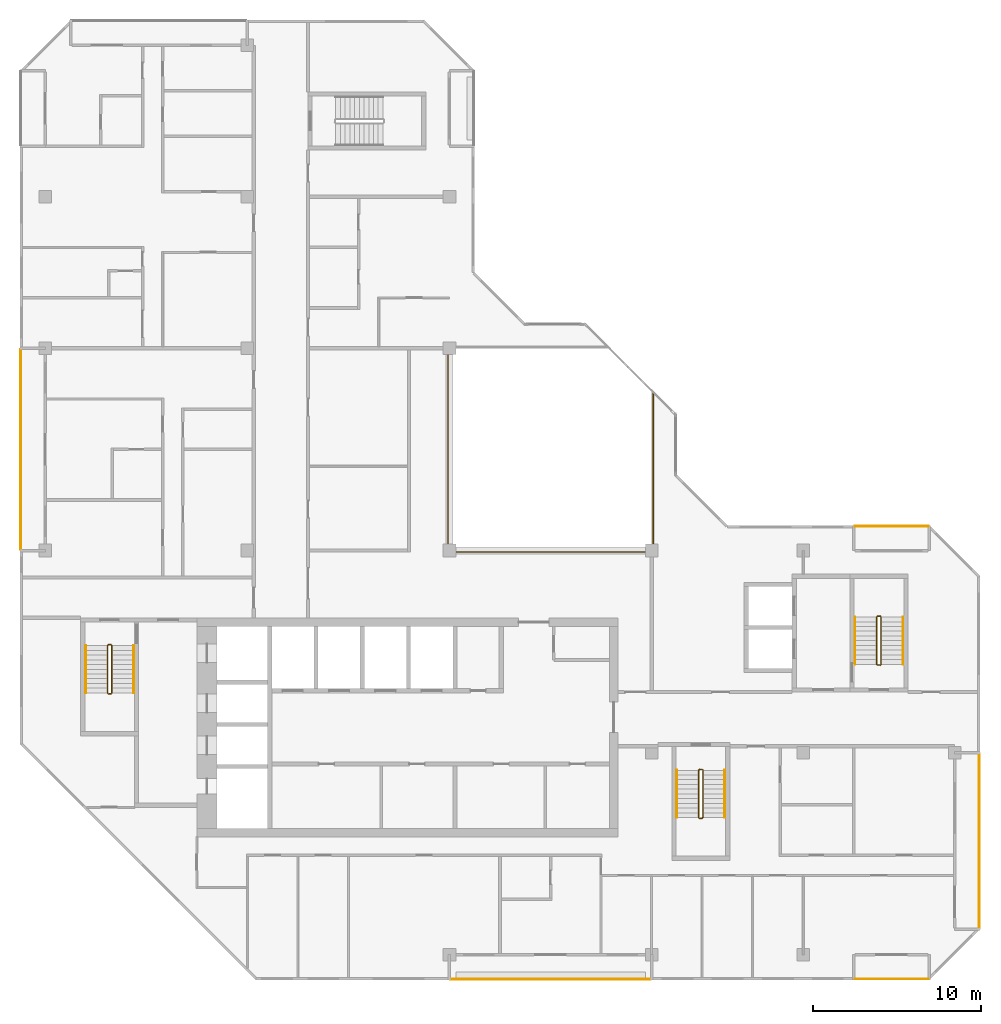
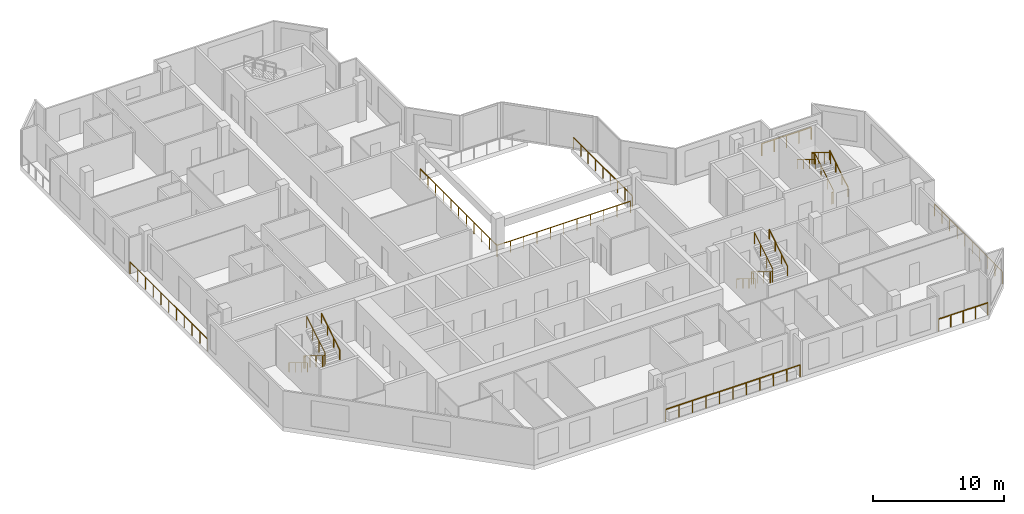
# One storey, part 11 of 12: 16 railings.
"""IFC4 building model written with IfcOpenShell, lengths in metres."""

from ifc_helpers import new_model, si_unit, direction, frame, origin, origin_2d, place, context, subcontext, project, spatial, rectangle, extrude, material, type_object, element, save


model = new_model("IFC4")

# Units and contexts
model_context = context("Model", 3, precision=1e-05, world=origin(), true_north=direction((0.0, 1.0)))
body_context = subcontext(model_context, "Body", "Model", "MODEL_VIEW")
ifc_project = project(units=[si_unit("LENGTHUNIT", "METRE"), si_unit("AREAUNIT", "SQUARE_METRE"), si_unit("VOLUMEUNIT", "CUBIC_METRE"), si_unit("PLANEANGLEUNIT", "RADIAN"), si_unit("MASSUNIT", "GRAM", prefix="KILO")], contexts=[model_context])

# Site, building, storey
site_placement = place(None, origin())
site = spatial("IfcSite", under=ifc_project, at=site_placement, CompositionType="ELEMENT")
building_placement = place(site_placement, origin())
building = spatial("IfcBuilding", under=site, at=building_placement, Name="Chenar Terraces", CompositionType="ELEMENT")
storey_placement = place(building_placement, frame((0.0, 0.0, 357.64990234375)))
storey = spatial("IfcBuildingStorey", under=building, at=storey_placement, Name="L83", CompositionType="ELEMENT", Elevation=357.64990234375)

# Railings
ifc_material_1 = material(Name="Powder-coated steel", Category="steel")
railing_type_1 = type_object("IfcRailingType", Name="Guard 1100 steel rail with glass infill", PredefinedType="GUARDRAIL", material=ifc_material_1)
railing_1_placement = place(storey_placement, frame((23.89990234375, 35.625, 0.0)))
element("IfcRailing", 1, at=railing_1_placement, inside=storey, type_object=railing_type_1, Name="Guard L83-1", PredefinedType="GUARDRAIL", context=body_context, shape_type="SweptSolid", body=[
    extrude(rectangle(XDim=0.06005859375, YDim=0.06005859375, at=origin_2d()), frame((0.0, 0.0, 1.070068359375), z_axis=(0.0, -1.0, 0.0), x_axis=(1.0, 0.0, 0.0)), (0.0, 0.0, 1.0), 11.72509765625),
    extrude(rectangle(XDim=0.06005859375, YDim=0.06005859375, at=origin_2d()), frame((0.0, -11.72509765625, 1.070068359375), z_axis=(1.0, 0.0, 0.0), x_axis=(0.0, 1.0, 0.0)), (0.0, 0.0, 1.0), 11.72509765625),
    extrude(rectangle(XDim=0.050048828125, YDim=0.050048828125, at=origin_2d()), origin(), (0.0, 0.0, 1.0), 1.0400390625),
    extrude(rectangle(XDim=0.050048828125, YDim=0.050048828125, at=origin_2d()), frame((0.0, -1.172607421875, 0.0)), (0.0, 0.0, 1.0), 1.0400390625),
    extrude(rectangle(XDim=0.050048828125, YDim=0.050048828125, at=origin_2d()), frame((0.0, -2.344970703125, 0.0)), (0.0, 0.0, 1.0), 1.0400390625),
    extrude(rectangle(XDim=0.050048828125, YDim=0.050048828125, at=origin_2d()), frame((0.0, -3.517578125, 0.0)), (0.0, 0.0, 1.0), 1.0400390625),
    extrude(rectangle(XDim=0.050048828125, YDim=0.050048828125, at=origin_2d()), frame((0.0, -4.68994140625, 0.0)), (0.0, 0.0, 1.0), 1.0400390625),
    extrude(rectangle(XDim=0.050048828125, YDim=0.050048828125, at=origin_2d()), frame((0.0, -5.862548828125, 0.0)), (0.0, 0.0, 1.0), 1.0400390625),
    extrude(rectangle(XDim=0.050048828125, YDim=0.050048828125, at=origin_2d()), frame((0.0, -7.03515625, 0.0)), (0.0, 0.0, 1.0), 1.0400390625),
    extrude(rectangle(XDim=0.050048828125, YDim=0.050048828125, at=origin_2d()), frame((0.0, -8.20751953125, 0.0)), (0.0, 0.0, 1.0), 1.0400390625),
    extrude(rectangle(XDim=0.050048828125, YDim=0.050048828125, at=origin_2d()), frame((0.0, -9.380126953125, 0.0)), (0.0, 0.0, 1.0), 1.0400390625),
    extrude(rectangle(XDim=0.050048828125, YDim=0.050048828125, at=origin_2d()), frame((0.0, -10.552490234375, 0.0)), (0.0, 0.0, 1.0), 1.0400390625),
    extrude(rectangle(XDim=0.050048828125, YDim=0.050048828125, at=origin_2d()), frame((0.0, -11.72509765625, 0.0)), (0.0, 0.0, 1.0), 1.0400390625),
    extrude(rectangle(XDim=0.050048828125, YDim=0.050048828125, at=origin_2d()), frame((1.172607421875, -11.72509765625, 0.0)), (0.0, 0.0, 1.0), 1.0400390625),
    extrude(rectangle(XDim=0.050048828125, YDim=0.050048828125, at=origin_2d()), frame((2.344970703125, -11.72509765625, 0.0)), (0.0, 0.0, 1.0), 1.0400390625),
    extrude(rectangle(XDim=0.050048828125, YDim=0.050048828125, at=origin_2d()), frame((3.517578125, -11.72509765625, 0.0)), (0.0, 0.0, 1.0), 1.0400390625),
    extrude(rectangle(XDim=0.050048828125, YDim=0.050048828125, at=origin_2d()), frame((4.68994140625, -11.72509765625, 0.0)), (0.0, 0.0, 1.0), 1.0400390625),
    extrude(rectangle(XDim=0.050048828125, YDim=0.050048828125, at=origin_2d()), frame((5.862548828125, -11.72509765625, 0.0)), (0.0, 0.0, 1.0), 1.0400390625),
    extrude(rectangle(XDim=0.050048828125, YDim=0.050048828125, at=origin_2d()), frame((7.03515625, -11.72509765625, 0.0)), (0.0, 0.0, 1.0), 1.0400390625),
    extrude(rectangle(XDim=0.050048828125, YDim=0.050048828125, at=origin_2d()), frame((8.20751953125, -11.72509765625, 0.0)), (0.0, 0.0, 1.0), 1.0400390625),
    extrude(rectangle(XDim=0.050048828125, YDim=0.050048828125, at=origin_2d()), frame((9.380126953125, -11.72509765625, 0.0)), (0.0, 0.0, 1.0), 1.0400390625),
    extrude(rectangle(XDim=0.050048828125, YDim=0.050048828125, at=origin_2d()), frame((10.552490234375, -11.72509765625, 0.0)), (0.0, 0.0, 1.0), 1.0400390625),
    extrude(rectangle(XDim=0.050048828125, YDim=0.050048828125, at=origin_2d()), frame((11.72509765625, -11.72509765625, 0.0)), (0.0, 0.0, 1.0), 1.0400390625),
])
railing_2_placement = place(storey_placement, frame((36.10009765625, 24.425048828125, 0.0)))
element("IfcRailing", 2, at=railing_2_placement, inside=storey, type_object=railing_type_1, Name="Guard L83-3", PredefinedType="GUARDRAIL", context=body_context, shape_type="SweptSolid", body=[
    extrude(rectangle(XDim=0.06005859375, YDim=0.06005859375, at=origin_2d()), frame((0.0, 0.0, 1.070068359375), z_axis=(0.0, 1.0, 0.0), x_axis=(-1.0, 0.0, 0.0)), (0.0, 0.0, 1.0), 8.974853515625),
    extrude(rectangle(XDim=0.050048828125, YDim=0.050048828125, at=origin_2d()), origin(), (0.0, 0.0, 1.0), 1.0400390625),
    extrude(rectangle(XDim=0.050048828125, YDim=0.050048828125, at=origin_2d()), frame((0.0, 1.121826171875, 0.0)), (0.0, 0.0, 1.0), 1.0400390625),
    extrude(rectangle(XDim=0.050048828125, YDim=0.050048828125, at=origin_2d()), frame((0.0, 2.24365234375, 0.0)), (0.0, 0.0, 1.0), 1.0400390625),
    extrude(rectangle(XDim=0.050048828125, YDim=0.050048828125, at=origin_2d()), frame((0.0, 3.365478515625, 0.0)), (0.0, 0.0, 1.0), 1.0400390625),
    extrude(rectangle(XDim=0.050048828125, YDim=0.050048828125, at=origin_2d()), frame((0.0, 4.4873046875, 0.0)), (0.0, 0.0, 1.0), 1.0400390625),
    extrude(rectangle(XDim=0.050048828125, YDim=0.050048828125, at=origin_2d()), frame((0.0, 5.609375, 0.0)), (0.0, 0.0, 1.0), 1.0400390625),
    extrude(rectangle(XDim=0.050048828125, YDim=0.050048828125, at=origin_2d()), frame((0.0, 6.731201171875, 0.0)), (0.0, 0.0, 1.0), 1.0400390625),
    extrude(rectangle(XDim=0.050048828125, YDim=0.050048828125, at=origin_2d()), frame((0.0, 7.85302734375, 0.0)), (0.0, 0.0, 1.0), 1.0400390625),
    extrude(rectangle(XDim=0.050048828125, YDim=0.050048828125, at=origin_2d()), frame((0.0, 8.974853515625, 0.0)), (0.0, 0.0, 1.0), 1.0400390625),
])
ifc_material_2 = material(Name="Stainless steel and glass", Category="steel")
railing_type_2 = type_object("IfcRailingType", Name="Loggia guard 1150", PredefinedType="GUARDRAIL", material=ifc_material_2)
railing_3_placement = place(storey_placement, frame((55.449951171875, 1.574951171875, 0.0)))
element("IfcRailing", 3, at=railing_3_placement, inside=storey, type_object=railing_type_2, Name="Loggia guard", PredefinedType="GUARDRAIL", context=body_context, shape_type="SweptSolid", body=[
    extrude(rectangle(XDim=0.048095703125, YDim=0.048095703125, at=origin_2d()), frame((0.0, 0.0, 1.1259765625), z_axis=(0.0, 1.0, 0.0), x_axis=(-1.0, 0.0, 0.0)), (0.0, 0.0, 1.0), 10.35009765625),
    extrude(rectangle(XDim=0.0419921875, YDim=0.0419921875, at=origin_2d()), origin(), (0.0, 0.0, 1.0), 1.101806640625),
    extrude(rectangle(XDim=0.0419921875, YDim=0.0419921875, at=origin_2d()), frame((0.0, 1.14990234375, 0.0)), (0.0, 0.0, 1.0), 1.101806640625),
    extrude(rectangle(XDim=0.0419921875, YDim=0.0419921875, at=origin_2d()), frame((0.0, 2.300048828125, 0.0)), (0.0, 0.0, 1.0), 1.101806640625),
    extrude(rectangle(XDim=0.0419921875, YDim=0.0419921875, at=origin_2d()), frame((0.0, 3.449951171875, 0.0)), (0.0, 0.0, 1.0), 1.101806640625),
    extrude(rectangle(XDim=0.0419921875, YDim=0.0419921875, at=origin_2d()), frame((0.0, 4.60009765625, 0.0)), (0.0, 0.0, 1.0), 1.101806640625),
    extrude(rectangle(XDim=0.0419921875, YDim=0.0419921875, at=origin_2d()), frame((0.0, 5.75, 0.0)), (0.0, 0.0, 1.0), 1.101806640625),
    extrude(rectangle(XDim=0.0419921875, YDim=0.0419921875, at=origin_2d()), frame((0.0, 6.900146484375, 0.0)), (0.0, 0.0, 1.0), 1.101806640625),
    extrude(rectangle(XDim=0.0419921875, YDim=0.0419921875, at=origin_2d()), frame((0.0, 8.050048828125, 0.0)), (0.0, 0.0, 1.0), 1.101806640625),
    extrude(rectangle(XDim=0.0419921875, YDim=0.0419921875, at=origin_2d()), frame((0.0, 9.2001953125, 0.0)), (0.0, 0.0, 1.0), 1.101806640625),
    extrude(rectangle(XDim=0.0419921875, YDim=0.0419921875, at=origin_2d()), frame((0.0, 10.35009765625, 0.0)), (0.0, 0.0, 1.0), 1.101806640625),
])
railing_4_placement = place(storey_placement, frame((52.425048828125, 25.449951171875, 0.0)))
element("IfcRailing", 4, at=railing_4_placement, inside=storey, type_object=railing_type_2, Name="Loggia guard", PredefinedType="GUARDRAIL", context=body_context, shape_type="SweptSolid", body=[
    extrude(rectangle(XDim=0.048095703125, YDim=0.048095703125, at=origin_2d()), frame((0.0, 0.0, 1.1259765625), z_axis=(-1.0, 0.0, 0.0), x_axis=(0.0, -1.0, 0.0)), (0.0, 0.0, 1.0), 4.35009765625),
    extrude(rectangle(XDim=0.0419921875, YDim=0.0419921875, at=origin_2d()), origin(), (0.0, 0.0, 1.0), 1.101806640625),
    extrude(rectangle(XDim=0.0419921875, YDim=0.0419921875, at=origin_2d()), frame((-1.08740234375, 0.0, 0.0)), (0.0, 0.0, 1.0), 1.101806640625),
    extrude(rectangle(XDim=0.0419921875, YDim=0.0419921875, at=origin_2d()), frame((-2.175048828125, 0.0, 0.0)), (0.0, 0.0, 1.0), 1.101806640625),
    extrude(rectangle(XDim=0.0419921875, YDim=0.0419921875, at=origin_2d()), frame((-3.2626953125, 0.0, 0.0)), (0.0, 0.0, 1.0), 1.101806640625),
    extrude(rectangle(XDim=0.0419921875, YDim=0.0419921875, at=origin_2d()), frame((-4.35009765625, 0.0, 0.0)), (0.0, 0.0, 1.0), 1.101806640625),
])
railing_5_placement = place(storey_placement, frame((24.074951171875, -1.449951171875, 0.0)))
element("IfcRailing", 5, at=railing_5_placement, inside=storey, type_object=railing_type_2, Name="Loggia guard", PredefinedType="GUARDRAIL", context=body_context, shape_type="SweptSolid", body=[
    extrude(rectangle(XDim=0.048095703125, YDim=0.048095703125, at=origin_2d()), frame((0.0, 0.0, 1.1259765625), z_axis=(1.0, 0.0, 0.0), x_axis=(0.0, 1.0, 0.0)), (0.0, 0.0, 1.0), 11.85009765625),
    extrude(rectangle(XDim=0.0419921875, YDim=0.0419921875, at=origin_2d()), origin(), (0.0, 0.0, 1.0), 1.101806640625),
    extrude(rectangle(XDim=0.0419921875, YDim=0.0419921875, at=origin_2d()), frame((1.18505859375, 0.0, 0.0)), (0.0, 0.0, 1.0), 1.101806640625),
    extrude(rectangle(XDim=0.0419921875, YDim=0.0419921875, at=origin_2d()), frame((2.3701171875, 0.0, 0.0)), (0.0, 0.0, 1.0), 1.101806640625),
    extrude(rectangle(XDim=0.0419921875, YDim=0.0419921875, at=origin_2d()), frame((3.554931640625, 0.0, 0.0)), (0.0, 0.0, 1.0), 1.101806640625),
    extrude(rectangle(XDim=0.0419921875, YDim=0.0419921875, at=origin_2d()), frame((4.739990234375, 0.0, 0.0)), (0.0, 0.0, 1.0), 1.101806640625),
    extrude(rectangle(XDim=0.0419921875, YDim=0.0419921875, at=origin_2d()), frame((5.925048828125, 0.0, 0.0)), (0.0, 0.0, 1.0), 1.101806640625),
    extrude(rectangle(XDim=0.0419921875, YDim=0.0419921875, at=origin_2d()), frame((7.110107421875, 0.0, 0.0)), (0.0, 0.0, 1.0), 1.101806640625),
    extrude(rectangle(XDim=0.0419921875, YDim=0.0419921875, at=origin_2d()), frame((8.295166015625, 0.0, 0.0)), (0.0, 0.0, 1.0), 1.101806640625),
    extrude(rectangle(XDim=0.0419921875, YDim=0.0419921875, at=origin_2d()), frame((9.47998046875, 0.0, 0.0)), (0.0, 0.0, 1.0), 1.101806640625),
    extrude(rectangle(XDim=0.0419921875, YDim=0.0419921875, at=origin_2d()), frame((10.6650390625, 0.0, 0.0)), (0.0, 0.0, 1.0), 1.101806640625),
    extrude(rectangle(XDim=0.0419921875, YDim=0.0419921875, at=origin_2d()), frame((11.85009765625, 0.0, 0.0)), (0.0, 0.0, 1.0), 1.101806640625),
])
railing_6_placement = place(storey_placement, frame((48.074951171875, -1.449951171875, 0.0)))
element("IfcRailing", 6, at=railing_6_placement, inside=storey, type_object=railing_type_2, Name="Loggia guard", PredefinedType="GUARDRAIL", context=body_context, shape_type="SweptSolid", body=[
    extrude(rectangle(XDim=0.048095703125, YDim=0.048095703125, at=origin_2d()), frame((0.0, 0.0, 1.1259765625), z_axis=(1.0, 0.0, 0.0), x_axis=(0.0, 1.0, 0.0)), (0.0, 0.0, 1.0), 4.35009765625),
    extrude(rectangle(XDim=0.0419921875, YDim=0.0419921875, at=origin_2d()), origin(), (0.0, 0.0, 1.0), 1.101806640625),
    extrude(rectangle(XDim=0.0419921875, YDim=0.0419921875, at=origin_2d()), frame((1.08740234375, 0.0, 0.0)), (0.0, 0.0, 1.0), 1.101806640625),
    extrude(rectangle(XDim=0.0419921875, YDim=0.0419921875, at=origin_2d()), frame((2.175048828125, 0.0, 0.0)), (0.0, 0.0, 1.0), 1.101806640625),
    extrude(rectangle(XDim=0.0419921875, YDim=0.0419921875, at=origin_2d()), frame((3.2626953125, 0.0, 0.0)), (0.0, 0.0, 1.0), 1.101806640625),
    extrude(rectangle(XDim=0.0419921875, YDim=0.0419921875, at=origin_2d()), frame((4.35009765625, 0.0, 0.0)), (0.0, 0.0, 1.0), 1.101806640625),
])
railing_7_placement = place(storey_placement, frame((-1.449951171875, 35.925048828125, 0.0)))
element("IfcRailing", 7, at=railing_7_placement, inside=storey, type_object=railing_type_2, Name="Loggia guard", PredefinedType="GUARDRAIL", context=body_context, shape_type="SweptSolid", body=[
    extrude(rectangle(XDim=0.048095703125, YDim=0.048095703125, at=origin_2d()), frame((0.0, 0.0, 1.1259765625), z_axis=(0.0, -1.0, 0.0), x_axis=(1.0, 0.0, 0.0)), (0.0, 0.0, 1.0), 11.85009765625),
    extrude(rectangle(XDim=0.0419921875, YDim=0.0419921875, at=origin_2d()), origin(), (0.0, 0.0, 1.0), 1.101806640625),
    extrude(rectangle(XDim=0.0419921875, YDim=0.0419921875, at=origin_2d()), frame((0.0, -1.18505859375, 0.0)), (0.0, 0.0, 1.0), 1.101806640625),
    extrude(rectangle(XDim=0.0419921875, YDim=0.0419921875, at=origin_2d()), frame((0.0, -2.3701171875, 0.0)), (0.0, 0.0, 1.0), 1.101806640625),
    extrude(rectangle(XDim=0.0419921875, YDim=0.0419921875, at=origin_2d()), frame((0.0, -3.554931640625, 0.0)), (0.0, 0.0, 1.0), 1.101806640625),
    extrude(rectangle(XDim=0.0419921875, YDim=0.0419921875, at=origin_2d()), frame((0.0, -4.739990234375, 0.0)), (0.0, 0.0, 1.0), 1.101806640625),
    extrude(rectangle(XDim=0.0419921875, YDim=0.0419921875, at=origin_2d()), frame((0.0, -5.925048828125, 0.0)), (0.0, 0.0, 1.0), 1.101806640625),
    extrude(rectangle(XDim=0.0419921875, YDim=0.0419921875, at=origin_2d()), frame((0.0, -7.110107421875, 0.0)), (0.0, 0.0, 1.0), 1.101806640625),
    extrude(rectangle(XDim=0.0419921875, YDim=0.0419921875, at=origin_2d()), frame((0.0, -8.295166015625, 0.0)), (0.0, 0.0, 1.0), 1.101806640625),
    extrude(rectangle(XDim=0.0419921875, YDim=0.0419921875, at=origin_2d()), frame((0.0, -9.47998046875, 0.0)), (0.0, 0.0, 1.0), 1.101806640625),
    extrude(rectangle(XDim=0.0419921875, YDim=0.0419921875, at=origin_2d()), frame((0.0, -10.6650390625, 0.0)), (0.0, 0.0, 1.0), 1.101806640625),
    extrude(rectangle(XDim=0.0419921875, YDim=0.0419921875, at=origin_2d()), frame((0.0, -11.85009765625, 0.0)), (0.0, 0.0, 1.0), 1.101806640625),
])
ifc_material_3 = material(Name="Powder-coated steel", Category="steel")
railing_type_3 = type_object("IfcRailingType", Name="Stair guard 1100", PredefinedType="GUARDRAIL", material=ifc_material_3)
railing_8_placement = place(storey_placement, frame((3.949951171875, 18.35009765625, 3.75)))
element("IfcRailing", 8, at=railing_8_placement, inside=storey, type_object=railing_type_3, Name="L83 ST1 stair guard 1", PredefinedType="GUARDRAIL", context=body_context, shape_type="SweptSolid", body=[
    extrude(rectangle(XDim=0.048095703125, YDim=0.048095703125, at=origin_2d()), frame((0.0, 0.0, 1.076171875), z_axis=(0.0, -0.854202870247, -0.519939858505), x_axis=(1.0, 0.0, 0.0)), (0.0, 0.0, 1.0), 3.278076171875),
    extrude(rectangle(XDim=0.048095703125, YDim=0.048095703125, at=origin_2d()), frame((0.0, -2.800048828125, -0.62841796875), z_axis=(-0.270899902878, -0.270899902878, -0.923702595667), x_axis=(0.707106781187, -0.707106781187, 0.0)), (0.0, 0.0, 1.0), 0.184814453125),
    extrude(rectangle(XDim=0.048095703125, YDim=0.048095703125, at=origin_2d()), frame((-0.050048828125, -2.85009765625, -0.798828125), z_axis=(-1.0, 0.0, 0.0), x_axis=(0.0, -1.0, 0.0)), (0.0, 0.0, 1.0), 0.14990234375),
    extrude(rectangle(XDim=0.048095703125, YDim=0.048095703125, at=origin_2d()), frame((-0.199951171875, -2.85009765625, -0.798828125), z_axis=(-0.707106781187, 0.707106781187, 0.0), x_axis=(-0.707106781187, -0.707106781187, 0.0)), (0.0, 0.0, 1.0), 0.07080078125),
    extrude(rectangle(XDim=0.048095703125, YDim=0.048095703125, at=origin_2d()), frame((-0.25, -2.800048828125, -0.798828125), z_axis=(0.0, 0.854202870247, -0.519939858505), x_axis=(-1.0, 0.0, 0.0)), (0.0, 0.0, 1.0), 3.278076171875),
    extrude(rectangle(XDim=0.048095703125, YDim=0.048095703125, at=origin_2d()), frame((-0.25, 0.0, -2.50341796875), z_axis=(0.270996696079, 0.269674760976, -0.924032636873), x_axis=(-0.705375805398, 0.708833529934, 0.0)), (0.0, 0.0, 1.0), 0.1845703125),
    extrude(rectangle(XDim=0.048095703125, YDim=0.048095703125, at=origin_2d()), frame((-0.199951171875, 0.0498046875, -2.673828125), z_axis=(1.0, 0.0, 0.0), x_axis=(0.0, 1.0, 0.0)), (0.0, 0.0, 1.0), 0.14990234375),
    extrude(rectangle(XDim=0.0419921875, YDim=0.0419921875, at=origin_2d()), origin(), (0.0, 0.0, 1.0), 1.052001953125),
    extrude(rectangle(XDim=0.0419921875, YDim=0.0419921875, at=origin_2d()), frame((0.0, -0.933349609375, -0.568115234375)), (0.0, 0.0, 1.0), 1.052001953125),
    extrude(rectangle(XDim=0.0419921875, YDim=0.0419921875, at=origin_2d()), frame((0.0, -1.86669921875, -1.13623046875)), (0.0, 0.0, 1.0), 1.052001953125),
    extrude(rectangle(XDim=0.0419921875, YDim=0.0419921875, at=origin_2d()), frame((0.0, -2.800048828125, -1.704345703125)), (0.0, 0.0, 1.0), 1.052001953125),
    extrude(rectangle(XDim=0.0419921875, YDim=0.0419921875, at=origin_2d()), frame((-0.050048828125, -2.85009765625, -1.875)), (0.0, 0.0, 1.0), 1.052001953125),
    extrude(rectangle(XDim=0.0419921875, YDim=0.0419921875, at=origin_2d()), frame((-0.199951171875, -2.85009765625, -1.875)), (0.0, 0.0, 1.0), 1.052001953125),
    extrude(rectangle(XDim=0.0419921875, YDim=0.0419921875, at=origin_2d()), frame((-0.25, -2.800048828125, -1.875)), (0.0, 0.0, 1.0), 1.052001953125),
    extrude(rectangle(XDim=0.0419921875, YDim=0.0419921875, at=origin_2d()), frame((-0.25, -1.86669921875, -2.443115234375)), (0.0, 0.0, 1.0), 1.052001953125),
    extrude(rectangle(XDim=0.0419921875, YDim=0.0419921875, at=origin_2d()), frame((-0.25, -0.933349609375, -3.01123046875)), (0.0, 0.0, 1.0), 1.052001953125),
    extrude(rectangle(XDim=0.0419921875, YDim=0.0419921875, at=origin_2d()), frame((-0.25, 0.0, -3.579345703125)), (0.0, 0.0, 1.0), 1.052001953125),
    extrude(rectangle(XDim=0.0419921875, YDim=0.0419921875, at=origin_2d()), frame((-0.199951171875, 0.0498046875, -3.75)), (0.0, 0.0, 1.0), 1.052001953125),
    extrude(rectangle(XDim=0.0419921875, YDim=0.0419921875, at=origin_2d()), frame((-0.050048828125, 0.0498046875, -3.75)), (0.0, 0.0, 1.0), 1.052001953125),
])
railing_9_placement = place(storey_placement, frame((39.050048828125, 10.949951171875, 3.75)))
element("IfcRailing", 9, at=railing_9_placement, inside=storey, type_object=railing_type_3, Name="L83 ST2 stair guard 1", PredefinedType="GUARDRAIL", context=body_context, shape_type="SweptSolid", body=[
    extrude(rectangle(XDim=0.048095703125, YDim=0.048095703125, at=origin_2d()), frame((0.0, 0.0, 1.076171875), z_axis=(0.0, -0.854202870247, -0.519939858505), x_axis=(1.0, 0.0, 0.0)), (0.0, 0.0, 1.0), 3.278076171875),
    extrude(rectangle(XDim=0.048095703125, YDim=0.048095703125, at=origin_2d()), frame((0.0, -2.800048828125, -0.62841796875), z_axis=(-0.270996696079, -0.269674760976, -0.924032636873), x_axis=(0.705375805398, -0.708833529934, 0.0)), (0.0, 0.0, 1.0), 0.1845703125),
    extrude(rectangle(XDim=0.048095703125, YDim=0.048095703125, at=origin_2d()), frame((-0.050048828125, -2.849853515625, -0.798828125), z_axis=(-1.0, 0.0, 0.0), x_axis=(0.0, -1.0, 0.0)), (0.0, 0.0, 1.0), 0.14990234375),
    extrude(rectangle(XDim=0.048095703125, YDim=0.048095703125, at=origin_2d()), frame((-0.199951171875, -2.849853515625, -0.798828125), z_axis=(-0.708833529934, 0.705375805398, 0.0), x_axis=(-0.705375805398, -0.708833529934, 0.0)), (0.0, 0.0, 1.0), 0.070556640625),
    extrude(rectangle(XDim=0.048095703125, YDim=0.048095703125, at=origin_2d()), frame((-0.25, -2.800048828125, -0.798828125), z_axis=(0.0, 0.854202870247, -0.519939858505), x_axis=(-1.0, 0.0, 0.0)), (0.0, 0.0, 1.0), 3.278076171875),
    extrude(rectangle(XDim=0.048095703125, YDim=0.048095703125, at=origin_2d()), frame((-0.25, 0.0, -2.50341796875), z_axis=(0.270899902878, 0.270899902878, -0.923702595667), x_axis=(-0.707106781187, 0.707106781187, 0.0)), (0.0, 0.0, 1.0), 0.184814453125),
    extrude(rectangle(XDim=0.048095703125, YDim=0.048095703125, at=origin_2d()), frame((-0.199951171875, 0.050048828125, -2.673828125), z_axis=(1.0, 0.0, 0.0), x_axis=(0.0, 1.0, 0.0)), (0.0, 0.0, 1.0), 0.14990234375),
    extrude(rectangle(XDim=0.0419921875, YDim=0.0419921875, at=origin_2d()), origin(), (0.0, 0.0, 1.0), 1.052001953125),
    extrude(rectangle(XDim=0.0419921875, YDim=0.0419921875, at=origin_2d()), frame((0.0, -0.933349609375, -0.568115234375)), (0.0, 0.0, 1.0), 1.052001953125),
    extrude(rectangle(XDim=0.0419921875, YDim=0.0419921875, at=origin_2d()), frame((0.0, -1.86669921875, -1.13623046875)), (0.0, 0.0, 1.0), 1.052001953125),
    extrude(rectangle(XDim=0.0419921875, YDim=0.0419921875, at=origin_2d()), frame((0.0, -2.800048828125, -1.704345703125)), (0.0, 0.0, 1.0), 1.052001953125),
    extrude(rectangle(XDim=0.0419921875, YDim=0.0419921875, at=origin_2d()), frame((-0.050048828125, -2.849853515625, -1.875)), (0.0, 0.0, 1.0), 1.052001953125),
    extrude(rectangle(XDim=0.0419921875, YDim=0.0419921875, at=origin_2d()), frame((-0.199951171875, -2.849853515625, -1.875)), (0.0, 0.0, 1.0), 1.052001953125),
    extrude(rectangle(XDim=0.0419921875, YDim=0.0419921875, at=origin_2d()), frame((-0.25, -2.800048828125, -1.875)), (0.0, 0.0, 1.0), 1.052001953125),
    extrude(rectangle(XDim=0.0419921875, YDim=0.0419921875, at=origin_2d()), frame((-0.25, -1.86669921875, -2.443115234375)), (0.0, 0.0, 1.0), 1.052001953125),
    extrude(rectangle(XDim=0.0419921875, YDim=0.0419921875, at=origin_2d()), frame((-0.25, -0.933349609375, -3.01123046875)), (0.0, 0.0, 1.0), 1.052001953125),
    extrude(rectangle(XDim=0.0419921875, YDim=0.0419921875, at=origin_2d()), frame((-0.25, 0.0, -3.579345703125)), (0.0, 0.0, 1.0), 1.052001953125),
    extrude(rectangle(XDim=0.0419921875, YDim=0.0419921875, at=origin_2d()), frame((-0.199951171875, 0.050048828125, -3.75)), (0.0, 0.0, 1.0), 1.052001953125),
    extrude(rectangle(XDim=0.0419921875, YDim=0.0419921875, at=origin_2d()), frame((-0.050048828125, 0.050048828125, -3.75)), (0.0, 0.0, 1.0), 1.052001953125),
])
railing_10_placement = place(storey_placement, frame((49.375, 17.25, 3.75)))
element("IfcRailing", 10, at=railing_10_placement, inside=storey, type_object=railing_type_3, Name="L83 ST3 stair guard 1", PredefinedType="GUARDRAIL", context=body_context, shape_type="SweptSolid", body=[
    extrude(rectangle(XDim=0.048095703125, YDim=0.048095703125, at=origin_2d()), frame((0.0, 0.0, 1.076171875), z_axis=(0.0, 0.854202870247, -0.519939858505), x_axis=(-1.0, 0.0, 0.0)), (0.0, 0.0, 1.0), 3.278076171875),
    extrude(rectangle(XDim=0.048095703125, YDim=0.048095703125, at=origin_2d()), frame((0.0, 2.800048828125, -0.62841796875), z_axis=(0.270899902878, 0.270899902878, -0.923702595667), x_axis=(-0.707106781187, 0.707106781187, 0.0)), (0.0, 0.0, 1.0), 0.184814453125),
    extrude(rectangle(XDim=0.048095703125, YDim=0.048095703125, at=origin_2d()), frame((0.050048828125, 2.85009765625, -0.798828125), z_axis=(1.0, 0.0, 0.0), x_axis=(0.0, 1.0, 0.0)), (0.0, 0.0, 1.0), 0.14990234375),
    extrude(rectangle(XDim=0.048095703125, YDim=0.048095703125, at=origin_2d()), frame((0.199951171875, 2.85009765625, -0.798828125), z_axis=(0.707106781187, -0.707106781187, 0.0), x_axis=(0.707106781187, 0.707106781187, 0.0)), (0.0, 0.0, 1.0), 0.07080078125),
    extrude(rectangle(XDim=0.048095703125, YDim=0.048095703125, at=origin_2d()), frame((0.25, 2.800048828125, -0.798828125), z_axis=(0.0, -0.854202870247, -0.519939858505), x_axis=(1.0, 0.0, 0.0)), (0.0, 0.0, 1.0), 3.278076171875),
    extrude(rectangle(XDim=0.048095703125, YDim=0.048095703125, at=origin_2d()), frame((0.25, 0.0, -2.50341796875), z_axis=(-0.270899902878, -0.270899902878, -0.923702595667), x_axis=(0.707106781187, -0.707106781187, 0.0)), (0.0, 0.0, 1.0), 0.184814453125),
    extrude(rectangle(XDim=0.048095703125, YDim=0.048095703125, at=origin_2d()), frame((0.199951171875, -0.050048828125, -2.673828125), z_axis=(-1.0, 0.0, 0.0), x_axis=(0.0, -1.0, 0.0)), (0.0, 0.0, 1.0), 0.14990234375),
    extrude(rectangle(XDim=0.0419921875, YDim=0.0419921875, at=origin_2d()), origin(), (0.0, 0.0, 1.0), 1.052001953125),
    extrude(rectangle(XDim=0.0419921875, YDim=0.0419921875, at=origin_2d()), frame((0.0, 0.933349609375, -0.568115234375)), (0.0, 0.0, 1.0), 1.052001953125),
    extrude(rectangle(XDim=0.0419921875, YDim=0.0419921875, at=origin_2d()), frame((0.0, 1.86669921875, -1.13623046875)), (0.0, 0.0, 1.0), 1.052001953125),
    extrude(rectangle(XDim=0.0419921875, YDim=0.0419921875, at=origin_2d()), frame((0.0, 2.800048828125, -1.704345703125)), (0.0, 0.0, 1.0), 1.052001953125),
    extrude(rectangle(XDim=0.0419921875, YDim=0.0419921875, at=origin_2d()), frame((0.050048828125, 2.85009765625, -1.875)), (0.0, 0.0, 1.0), 1.052001953125),
    extrude(rectangle(XDim=0.0419921875, YDim=0.0419921875, at=origin_2d()), frame((0.199951171875, 2.85009765625, -1.875)), (0.0, 0.0, 1.0), 1.052001953125),
    extrude(rectangle(XDim=0.0419921875, YDim=0.0419921875, at=origin_2d()), frame((0.25, 2.800048828125, -1.875)), (0.0, 0.0, 1.0), 1.052001953125),
    extrude(rectangle(XDim=0.0419921875, YDim=0.0419921875, at=origin_2d()), frame((0.25, 1.86669921875, -2.443115234375)), (0.0, 0.0, 1.0), 1.052001953125),
    extrude(rectangle(XDim=0.0419921875, YDim=0.0419921875, at=origin_2d()), frame((0.25, 0.933349609375, -3.01123046875)), (0.0, 0.0, 1.0), 1.052001953125),
    extrude(rectangle(XDim=0.0419921875, YDim=0.0419921875, at=origin_2d()), frame((0.25, 0.0, -3.579345703125)), (0.0, 0.0, 1.0), 1.052001953125),
    extrude(rectangle(XDim=0.0419921875, YDim=0.0419921875, at=origin_2d()), frame((0.199951171875, -0.050048828125, -3.75)), (0.0, 0.0, 1.0), 1.052001953125),
    extrude(rectangle(XDim=0.0419921875, YDim=0.0419921875, at=origin_2d()), frame((0.050048828125, -0.050048828125, -3.75)), (0.0, 0.0, 1.0), 1.052001953125),
])
ifc_material_4 = material(Name="Powder-coated steel", Category="steel")
railing_type_4 = type_object("IfcRailingType", Name="Stair handrail 900", PredefinedType="HANDRAIL", material=ifc_material_4)
railing_11_placement = place(storey_placement, frame((2.39990234375, 18.35009765625, 0.170654296875)))
element("IfcRailing", 11, at=railing_11_placement, inside=storey, type_object=railing_type_4, Name="L83 ST1 stair handrail 1", PredefinedType="HANDRAIL", context=body_context, shape_type="SweptSolid", body=[
    extrude(rectangle(XDim=0.048095703125, YDim=0.048095703125, at=origin_2d()), frame((0.0, 0.0, 0.8759765625), z_axis=(0.0, -0.854202870247, 0.519939858505), x_axis=(1.0, 0.0, 0.0)), (0.0, 0.0, 1.0), 3.278076171875),
    extrude(rectangle(XDim=0.0419921875, YDim=0.0419921875, at=origin_2d()), origin(), (0.0, 0.0, 1.0), 0.851806640625),
    extrude(rectangle(XDim=0.0419921875, YDim=0.0419921875, at=origin_2d()), frame((0.0, -0.933349609375, 0.568115234375)), (0.0, 0.0, 1.0), 0.851806640625),
    extrude(rectangle(XDim=0.0419921875, YDim=0.0419921875, at=origin_2d()), frame((0.0, -1.86669921875, 1.13623046875)), (0.0, 0.0, 1.0), 0.851806640625),
    extrude(rectangle(XDim=0.0419921875, YDim=0.0419921875, at=origin_2d()), frame((0.0, -2.800048828125, 1.704345703125)), (0.0, 0.0, 1.0), 0.851806640625),
])
railing_12_placement = place(storey_placement, frame((5.25, 15.550048828125, 2.045654296875)))
element("IfcRailing", 12, at=railing_12_placement, inside=storey, type_object=railing_type_4, Name="L83 ST1 stair handrail 2", PredefinedType="HANDRAIL", context=body_context, shape_type="SweptSolid", body=[
    extrude(rectangle(XDim=0.048095703125, YDim=0.048095703125, at=origin_2d()), frame((0.0, 0.0, 0.8759765625), z_axis=(0.0, 0.854202870247, 0.519939858505), x_axis=(-1.0, 0.0, 0.0)), (0.0, 0.0, 1.0), 3.278076171875),
    extrude(rectangle(XDim=0.0419921875, YDim=0.0419921875, at=origin_2d()), origin(), (0.0, 0.0, 1.0), 0.851806640625),
    extrude(rectangle(XDim=0.0419921875, YDim=0.0419921875, at=origin_2d()), frame((0.0, 0.933349609375, 0.568115234375)), (0.0, 0.0, 1.0), 0.851806640625),
    extrude(rectangle(XDim=0.0419921875, YDim=0.0419921875, at=origin_2d()), frame((0.0, 1.86669921875, 1.13623046875)), (0.0, 0.0, 1.0), 0.851806640625),
    extrude(rectangle(XDim=0.0419921875, YDim=0.0419921875, at=origin_2d()), frame((0.0, 2.800048828125, 1.704345703125)), (0.0, 0.0, 1.0), 0.851806640625),
])
railing_13_placement = place(storey_placement, frame((37.5, 10.949951171875, 0.170654296875)))
element("IfcRailing", 13, at=railing_13_placement, inside=storey, type_object=railing_type_4, Name="L83 ST2 stair handrail 1", PredefinedType="HANDRAIL", context=body_context, shape_type="SweptSolid", body=[
    extrude(rectangle(XDim=0.048095703125, YDim=0.048095703125, at=origin_2d()), frame((0.0, 0.0, 0.8759765625), z_axis=(0.0, -0.854202870247, 0.519939858505), x_axis=(1.0, 0.0, 0.0)), (0.0, 0.0, 1.0), 3.278076171875),
    extrude(rectangle(XDim=0.0419921875, YDim=0.0419921875, at=origin_2d()), origin(), (0.0, 0.0, 1.0), 0.851806640625),
    extrude(rectangle(XDim=0.0419921875, YDim=0.0419921875, at=origin_2d()), frame((0.0, -0.933349609375, 0.568115234375)), (0.0, 0.0, 1.0), 0.851806640625),
    extrude(rectangle(XDim=0.0419921875, YDim=0.0419921875, at=origin_2d()), frame((0.0, -1.86669921875, 1.13623046875)), (0.0, 0.0, 1.0), 0.851806640625),
    extrude(rectangle(XDim=0.0419921875, YDim=0.0419921875, at=origin_2d()), frame((0.0, -2.800048828125, 1.704345703125)), (0.0, 0.0, 1.0), 0.851806640625),
])
for number, where, name in (
    (14, (40.35009765625, 8.14990234375, 2.045654296875), "L83 ST2 stair handrail 2"),
    (15, (50.925048828125, 17.25, 0.170654296875), "L83 ST3 stair handrail 1"),
):
    element("IfcRailing", number, at=place(storey_placement, frame(where)), inside=storey, type_object=railing_type_4, Name=name, PredefinedType="HANDRAIL", context=body_context, shape_type="SweptSolid", body=[
        extrude(rectangle(XDim=0.048095703125, YDim=0.048095703125, at=origin_2d()), frame((0.0, 0.0, 0.8759765625), z_axis=(0.0, 0.854202870247, 0.519939858505), x_axis=(-1.0, 0.0, 0.0)), (0.0, 0.0, 1.0), 3.278076171875),
        extrude(rectangle(XDim=0.0419921875, YDim=0.0419921875, at=origin_2d()), origin(), (0.0, 0.0, 1.0), 0.851806640625),
        extrude(rectangle(XDim=0.0419921875, YDim=0.0419921875, at=origin_2d()), frame((0.0, 0.933349609375, 0.568115234375)), (0.0, 0.0, 1.0), 0.851806640625),
        extrude(rectangle(XDim=0.0419921875, YDim=0.0419921875, at=origin_2d()), frame((0.0, 1.86669921875, 1.13623046875)), (0.0, 0.0, 1.0), 0.851806640625),
        extrude(rectangle(XDim=0.0419921875, YDim=0.0419921875, at=origin_2d()), frame((0.0, 2.800048828125, 1.704345703125)), (0.0, 0.0, 1.0), 0.851806640625),
    ])
railing_14_placement = place(storey_placement, frame((48.074951171875, 20.050048828125, 2.045654296875)))
element("IfcRailing", 16, at=railing_14_placement, inside=storey, type_object=railing_type_4, Name="L83 ST3 stair handrail 2", PredefinedType="HANDRAIL", context=body_context, shape_type="SweptSolid", body=[
    extrude(rectangle(XDim=0.048095703125, YDim=0.048095703125, at=origin_2d()), frame((0.0, 0.0, 0.8759765625), z_axis=(0.0, -0.854202870247, 0.519939858505), x_axis=(1.0, 0.0, 0.0)), (0.0, 0.0, 1.0), 3.278076171875),
    extrude(rectangle(XDim=0.0419921875, YDim=0.0419921875, at=origin_2d()), origin(), (0.0, 0.0, 1.0), 0.851806640625),
    extrude(rectangle(XDim=0.0419921875, YDim=0.0419921875, at=origin_2d()), frame((0.0, -0.933349609375, 0.568115234375)), (0.0, 0.0, 1.0), 0.851806640625),
    extrude(rectangle(XDim=0.0419921875, YDim=0.0419921875, at=origin_2d()), frame((0.0, -1.86669921875, 1.13623046875)), (0.0, 0.0, 1.0), 0.851806640625),
    extrude(rectangle(XDim=0.0419921875, YDim=0.0419921875, at=origin_2d()), frame((0.0, -2.800048828125, 1.704345703125)), (0.0, 0.0, 1.0), 0.851806640625),
])

save(model, "model.ifc")
